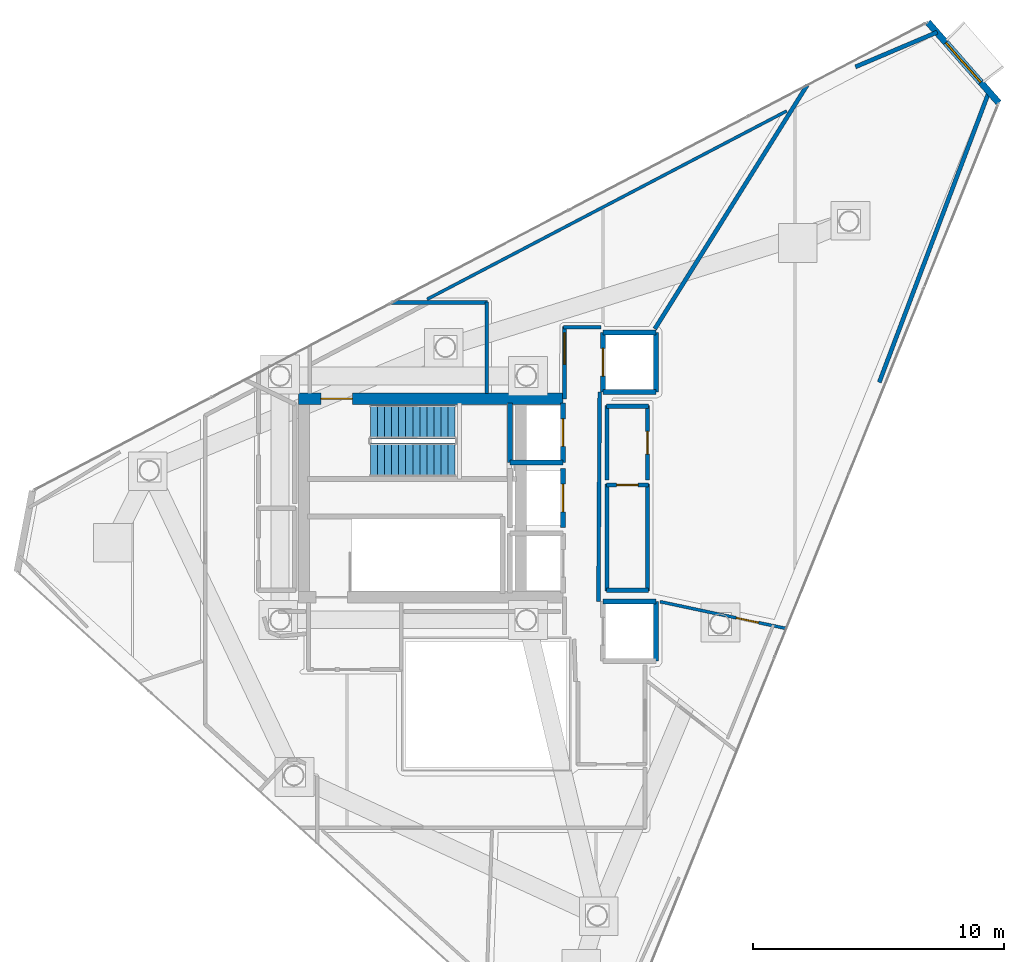
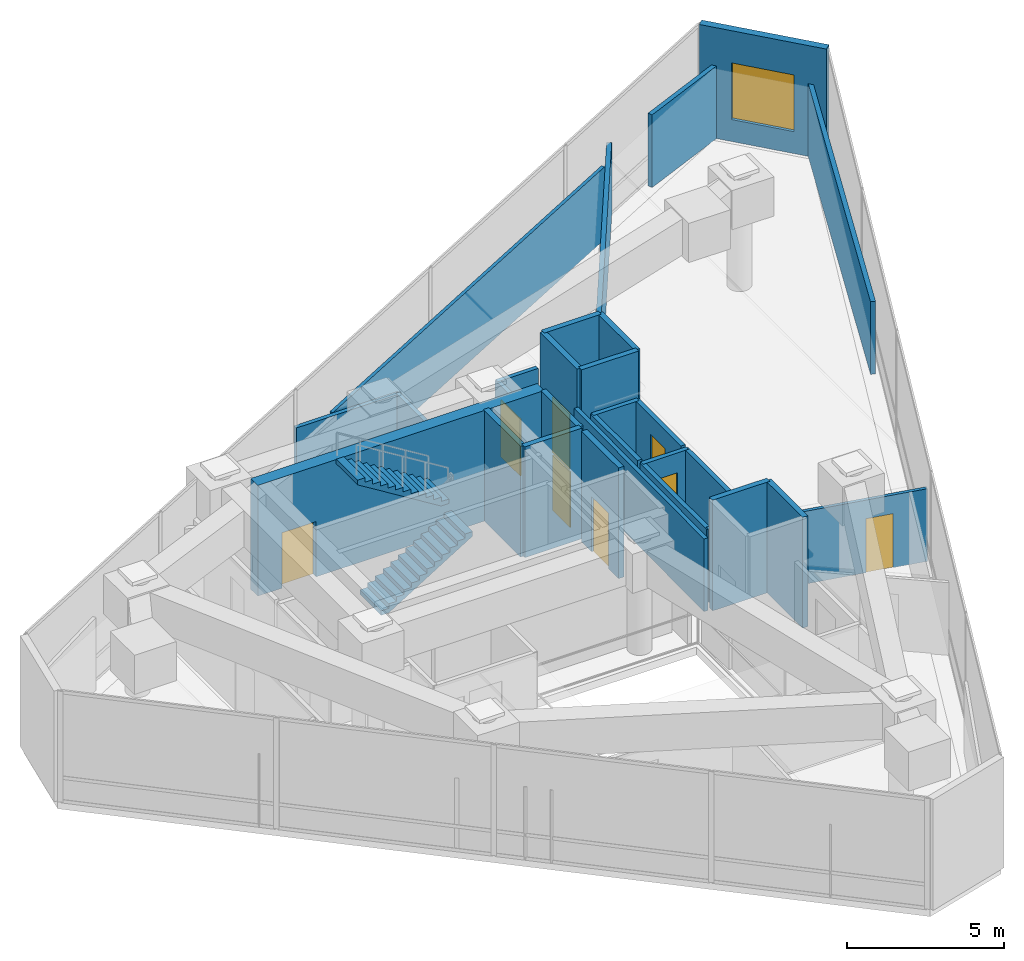
# One storey, part 15 of 17: 29 walls, 8 doors, 2 stair flights, 1 window, 9 openings, 1 element without a shape of its own.
"""IFC4 building model written with IfcOpenShell, lengths in metres."""

from ifc_helpers import new_model, si_unit, direction, frame, frame_2d, origin, place, context, subcontext, project, spatial, polyline, rectangle, outline, extrude, material, layer, layer_set, type_object, element, fill, aggregate, save


model = new_model("IFC4")

# Units and contexts
model_context = context("Model", 3, precision=1e-05, world=origin(), true_north=direction((0.0, 1.0)))
body_context = subcontext(model_context, "Body", "Model", "MODEL_VIEW")
ifc_project = project(units=[si_unit("LENGTHUNIT", "METRE"), si_unit("AREAUNIT", "SQUARE_METRE"), si_unit("VOLUMEUNIT", "CUBIC_METRE"), si_unit("PLANEANGLEUNIT", "RADIAN"), si_unit("MASSUNIT", "GRAM", prefix="KILO")], contexts=[model_context])

# Site, building, storey
site_placement = place(None, origin())
site = spatial("IfcSite", under=ifc_project, at=site_placement, CompositionType="ELEMENT")
building_placement = place(site_placement, origin())
building = spatial("IfcBuilding", under=site, at=building_placement, Name="Qianvela Tower", CompositionType="ELEMENT")
storey_placement = place(building_placement, frame((0.0, 0.0, 351.800048828125)))
storey = spatial("IfcBuildingStorey", under=building, at=storey_placement, Name="L91", CompositionType="ELEMENT", Elevation=351.800048828125)

# Wall, opening, window
ifc_material_1 = material(Name="Terracotta Cladding on Concrete C40", Category="masonry")
ifc_layer_1 = layer(ifc_material_1, 0.260009765625)
ifc_layer_set_1 = layer_set([ifc_layer_1], Name="Terracotta Cladding on Concrete C40")
wall_type_1 = type_object("IfcWallType", Name="TERRACOTTA-WALL-260", PredefinedType="SOLIDWALL", material=ifc_layer_set_1)
wall_1_placement = place(storey_placement, frame((57.185302734375, 44.41455078125, 0.0), z_axis=(0.0, 0.0, 1.0), x_axis=(-0.660250400188, 0.751045543926, 0.0)))
wall_1 = element("IfcWall", 1, at=wall_1_placement, inside=storey, type_object=wall_type_1, Name="L91 Terracotta Chamfer Facet Wall 1", PredefinedType="SOLIDWALL", context=body_context, shape_type="SweptSolid", body=[
    extrude(rectangle(XDim=4.272705078125, YDim=0.260009765625, at=frame_2d((2.13623046875, 0.0))), origin(), (0.0, 0.0, 1.0), 4.300048828125),
])
opening_1_placement = place(wall_1_placement, frame((1.08642578125, 0.0, 0.85009765625)))
opening_1 = element("IfcOpeningElement", 2, at=opening_1_placement, cuts=wall_1, Name="Opening W-04", PredefinedType="OPENING", context=body_context, shape_type="SweptSolid", body=[
    extrude(rectangle(XDim=2.10009765625, YDim=2.199951171875, at=frame_2d((1.050048828125, 1.10009765625))), frame((0.0, 0.139892578125, 0.0), z_axis=(0.0, -1.0, 0.0), x_axis=(1.0, 0.0, 0.0)), (0.0, 0.0, 1.0), 0.280029296875),
])
ifc_material_2 = material(Name="Thermally Broken Aluminium and Low-E Glass", Category="aluminium")
window_type = type_object("IfcWindowType", Name="WIN-TC-2100x2200", PartitioningType="TRIPLE_PANEL_VERTICAL", PredefinedType="WINDOW", material=ifc_material_2)
window_placement = place(opening_1_placement, origin())
window = element("IfcWindow", 3, at=window_placement, inside=storey, type_object=window_type, Name="L91 Chamfer Facet Window 1.1", OverallHeight=2.199951171875, OverallWidth=2.10009765625, PartitioningType="SINGLE_PANEL", PredefinedType="WINDOW", context=body_context, shape_type="SweptSolid", body=[
    extrude(rectangle(XDim=2.10009765625, YDim=2.199951171875, at=frame_2d((1.050048828125, 1.10009765625))), frame((0.0, 0.030029296875, 0.0), z_axis=(0.0, -1.0, 0.0), x_axis=(1.0, 0.0, 0.0)), (0.0, 0.0, 1.0), 0.06005859375),
])
fill(opening_1, window)

# Wall, opening, door
ifc_material_3 = material(Name="Concrete C50", Category="concrete")
ifc_layer_2 = layer(ifc_material_3, 0.449951171875)
ifc_layer_set_2 = layer_set([ifc_layer_2], Name="Concrete C50")
wall_type_2 = type_object("IfcWallType", Name="WT-CORE-450", PredefinedType="SHEAR", material=ifc_layer_set_2)
wall_2_placement = place(storey_placement, frame((29.330078125, 32.64501953125, 0.0), z_axis=(0.0, 0.0, 1.0), x_axis=(1.0, 0.0, 0.0)))
wall_2 = element("IfcWall", 4, at=wall_2_placement, inside=storey, type_object=wall_type_2, Name="L91 North Core Shear Wall", PredefinedType="SHEAR", context=body_context, shape_type="SweptSolid", body=[
    extrude(rectangle(XDim=10.52001953125, YDim=0.449951171875, at=frame_2d((5.260009765625, 0.0))), origin(), (0.0, 0.0, 1.0), 4.300048828125),
])
opening_2_placement = place(wall_2_placement, frame((0.89501953125, 0.0, 0.0)))
opening_2 = element("IfcOpeningElement", 5, at=opening_2_placement, cuts=wall_2, Name="Opening D-ST1", PredefinedType="OPENING", context=body_context, shape_type="SweptSolid", body=[
    extrude(rectangle(XDim=1.25, YDim=2.14990234375, at=frame_2d((0.625, 1.074951171875))), frame((0.0, 0.23486328125, 0.0), z_axis=(0.0, -1.0, 0.0), x_axis=(1.0, 0.0, 0.0)), (0.0, 0.0, 1.0), 0.469970703125),
])
ifc_material_4 = material(Name="Galvanised Fire Steel Q355B", Category="steel")
door_type_1 = type_object("IfcDoorType", Name="DT-STAIR-FD90", OperationType="NOTDEFINED", PredefinedType="DOOR", material=ifc_material_4)
door_1_placement = place(opening_2_placement, origin())
door_1 = element("IfcDoor", 6, at=door_1_placement, inside=storey, type_object=door_type_1, Name="L91 Stair ST-1 Exit Door", OperationType="SINGLE_SWING_RIGHT", OverallHeight=2.14990234375, OverallWidth=1.25, PredefinedType="DOOR", context=body_context, shape_type="SweptSolid", body=[
    extrude(rectangle(XDim=1.25, YDim=2.14990234375, at=frame_2d((0.625, 1.074951171875))), frame((0.0, 0.02490234375, 0.0), z_axis=(0.0, -1.0, 0.0), x_axis=(1.0, 0.0, 0.0)), (0.0, 0.0, 1.0), 0.050048828125),
])
fill(opening_2, door_1)

# Walls
ifc_material_5 = material(Name="Fire-Rated Acoustic Gypsum Board")
ifc_layer_3 = layer(ifc_material_5, 0.14990234375)
ifc_layer_set_3 = layer_set([ifc_layer_3], Name="Fire-Rated Acoustic Gypsum Board")
wall_type_3 = type_object("IfcWallType", Name="WT-CORR-150", PredefinedType="PARTITIONING", material=ifc_layer_set_3)
wall_3_placement = place(storey_placement, frame((33.04248046875, 36.468994140625, 0.0), z_axis=(0.0, 0.0, 1.0), x_axis=(1.0, 0.0, 0.0)))
element("IfcWall", 7, at=wall_3_placement, inside=storey, type_object=wall_type_3, Name="L91 Partition 3", PredefinedType="PARTITIONING", context=body_context, shape_type="SweptSolid", body=[
    extrude(rectangle(XDim=3.8076171875, YDim=0.14990234375, at=frame_2d((1.90380859375, 0.0))), origin(), (0.0, 0.0, 1.0), 2.820068359375),
])
wall_4_placement = place(storey_placement, frame((36.819091796875, 36.5, 0.0), z_axis=(0.0, 0.0, 1.0), x_axis=(0.0, -1.0, 0.0)))
element("IfcWall", 8, at=wall_4_placement, inside=storey, type_object=wall_type_3, Name="L91 Partition 4", PredefinedType="PARTITIONING", context=body_context, shape_type="SweptSolid", body=[
    extrude(rectangle(XDim=3.64208984375, YDim=0.14990234375, at=frame_2d((1.821044921875, 0.0))), origin(), (0.0, 0.0, 1.0), 2.820068359375),
])

# Wall, opening, door
wall_5_placement = place(storey_placement, frame((39.910888671875, 32.639892578125, 0.0), z_axis=(0.0, 0.0, 1.0), x_axis=(0.0, 1.0, 0.0)))
wall_5 = element("IfcWall", 9, at=wall_5_placement, inside=storey, type_object=wall_type_3, Name="L91 Partition 13", PredefinedType="PARTITIONING", context=body_context, shape_type="SweptSolid", body=[
    extrude(rectangle(XDim=2.880126953125, YDim=0.14990234375, at=frame_2d((1.43994140625, 0.0))), origin(), (0.0, 0.0, 1.0), 2.820068359375),
])
opening_3_placement = place(wall_5_placement, frame((1.375, 0.0, 0.0)))
opening_3 = element("IfcOpeningElement", 10, at=opening_3_placement, cuts=wall_5, Name="Opening D-LG1", PredefinedType="OPENING", context=body_context, shape_type="SweptSolid", body=[
    extrude(rectangle(XDim=1.25, YDim=2.199951171875, at=frame_2d((0.625, 1.10009765625))), frame((0.0, 0.0849609375, 0.0), z_axis=(0.0, -1.0, 0.0), x_axis=(1.0, 0.0, 0.0)), (0.0, 0.0, 1.0), 0.169921875),
])
ifc_material_6 = material(Name="Anodised Aluminium Acoustic Glass Door", Category="aluminium")
door_type_2 = type_object("IfcDoorType", Name="DT-LOUNGE-1250", OperationType="NOTDEFINED", PredefinedType="DOOR", material=ifc_material_6)
door_2_placement = place(opening_3_placement, origin())
door_2 = element("IfcDoor", 11, at=door_2_placement, inside=storey, type_object=door_type_2, Name="L91 Door L91 Academic Seminar Room to L91 Lift Lobby", OperationType="SINGLE_SWING_LEFT", OverallHeight=2.199951171875, OverallWidth=1.25, PredefinedType="DOOR", context=body_context, shape_type="SweptSolid", body=[
    extrude(rectangle(XDim=1.25, YDim=2.199951171875, at=frame_2d((0.625, 1.10009765625))), frame((0.0, 0.02490234375, 0.0), z_axis=(0.0, -1.0, 0.0), x_axis=(1.0, 0.0, 0.0)), (0.0, 0.0, 1.0), 0.050048828125),
])
fill(opening_3, door_2)

# Walls
wall_6_placement = place(storey_placement, frame((39.8798828125, 35.489013671875, 0.0), z_axis=(0.0, 0.0, 1.0), x_axis=(1.0, 0.0, 0.0)))
element("IfcWall", 12, at=wall_6_placement, inside=storey, type_object=wall_type_3, Name="L91 Partition 14", PredefinedType="PARTITIONING", context=body_context, shape_type="SweptSolid", body=[
    extrude(rectangle(XDim=1.480224609375, YDim=0.14990234375, at=frame_2d((0.740234375, 0.0))), origin(), (0.0, 0.0, 1.0), 2.820068359375),
])
wall_7_placement = place(storey_placement, frame((41.3134765625, 32.919921875, 0.0), z_axis=(0.0, 0.0, 1.0), x_axis=(-0.005942518022, -0.999982343084, 0.0)))
element("IfcWall", 13, at=wall_7_placement, inside=storey, type_object=wall_type_3, Name="L91 Partition 15 seg 2", PredefinedType="PARTITIONING", context=body_context, shape_type="SweptSolid", body=[
    extrude(rectangle(XDim=8.340087890625, YDim=0.14990234375, at=frame_2d((4.169921875, 0.0))), origin(), (0.0, 0.0, 1.0), 2.820068359375),
])

# Wall, opening, door
ifc_material_7 = material(Name="Insulated Gypsum Stud Partition")
ifc_layer_4 = layer(ifc_material_7, 0.1201171875)
ifc_layer_set_4 = layer_set([ifc_layer_4], Name="Insulated Gypsum Stud Partition")
wall_type_4 = type_object("IfcWallType", Name="WT-PART-120", PredefinedType="PARTITIONING", material=ifc_layer_set_4)
wall_8_placement = place(storey_placement, frame((43.713134765625, 24.576171875, 0.0), z_axis=(0.0, 0.0, 1.0), x_axis=(0.978143673995, -0.207930163816, 0.0)))
wall_8 = element("IfcWall", 14, at=wall_8_placement, inside=storey, type_object=wall_type_4, Name="L91 Partition 77", PredefinedType="PARTITIONING", context=body_context, shape_type="SweptSolid", body=[
    extrude(rectangle(XDim=5.152099609375, YDim=0.1201171875, at=frame_2d((2.576171875, 0.0))), origin(), (0.0, 0.0, 1.0), 2.820068359375),
])
opening_4_placement = place(wall_8_placement, frame((3.10595703125, 0.0, 0.0)))
opening_4 = element("IfcOpeningElement", 15, at=opening_4_placement, cuts=wall_8, Name="Opening D-KT1", PredefinedType="OPENING", context=body_context, shape_type="SweptSolid", body=[
    extrude(rectangle(XDim=0.89990234375, YDim=2.10009765625, at=frame_2d((0.449951171875, 1.050048828125))), frame((0.0, 0.070068359375, 0.0), z_axis=(0.0, -1.0, 0.0), x_axis=(1.0, 0.0, 0.0)), (0.0, 0.0, 1.0), 0.14013671875),
])
ifc_material_8 = material(Name="Glazed Timber Kitchen Door", Category="wood")
door_type_3 = type_object("IfcDoorType", Name="DT-KITCH-900", OperationType="NOTDEFINED", PredefinedType="DOOR", material=ifc_material_8)
door_3_placement = place(opening_4_placement, origin())
door_3 = element("IfcDoor", 16, at=door_3_placement, inside=storey, type_object=door_type_3, Name="L91 Door L91 Shared Sky Kitchen and Cafe to L91 Graduate Study Lounge", OperationType="SINGLE_SWING_LEFT", OverallHeight=2.10009765625, OverallWidth=0.89990234375, PredefinedType="DOOR", context=body_context, shape_type="SweptSolid", body=[
    extrude(rectangle(XDim=0.89990234375, YDim=2.10009765625, at=frame_2d((0.449951171875, 1.050048828125))), frame((0.0, 0.02490234375, 0.0), z_axis=(0.0, -1.0, 0.0), x_axis=(1.0, 0.0, 0.0)), (0.0, 0.0, 1.0), 0.050048828125),
])
fill(opening_4, door_3)

# Walls
wall_9_placement = place(storey_placement, frame((34.4482421875, 36.60107421875, 0.0), z_axis=(0.0, 0.0, 1.0), x_axis=(0.885897810841, 0.46388044661, 0.0)))
element("IfcWall", 17, at=wall_9_placement, inside=storey, type_object=wall_type_4, Name="L91 Partition 95 seg 1", PredefinedType="PARTITIONING", context=body_context, shape_type="SweptSolid", body=[
    extrude(rectangle(XDim=16.1484375, YDim=0.1201171875, at=frame_2d((8.07421875, 0.0))), origin(), (0.0, 0.0, 1.0), 2.820068359375),
])
ifc_material_9 = material(Name="Sanitary Service Chase Partition")
ifc_layer_5 = layer(ifc_material_9, 0.1650390625)
ifc_layer_set_5 = layer_set([ifc_layer_5], Name="Sanitary Service Chase Partition")
wall_type_5 = type_object("IfcWallType", Name="WT-PLUMB-165", PredefinedType="PLUMBINGWALL", material=ifc_layer_set_5)
wall_10_placement = place(storey_placement, frame((43.25, 25.031005859375, 0.0), z_axis=(0.0, 0.0, 1.0), x_axis=(-1.0, 0.0, 0.0)))
element("IfcWall", 18, at=wall_10_placement, inside=storey, type_object=wall_type_5, Name="L91 Partition 20", PredefinedType="PLUMBINGWALL", context=body_context, shape_type="SweptSolid", body=[
    extrude(rectangle(XDim=1.669921875, YDim=0.1650390625, at=frame_2d((0.8349609375, 0.0))), origin(), (0.0, 0.0, 1.0), 2.820068359375),
])
wall_11_placement = place(storey_placement, frame((41.611083984375, 25.0, 0.0), z_axis=(0.0, 0.0, 1.0), x_axis=(0.0, 1.0, 0.0)))
element("IfcWall", 19, at=wall_11_placement, inside=storey, type_object=wall_type_5, Name="L91 Partition 21", PredefinedType="PLUMBINGWALL", context=body_context, shape_type="SweptSolid", body=[
    extrude(rectangle(XDim=4.25, YDim=0.1650390625, at=frame_2d((2.125, 0.0))), origin(), (0.0, 0.0, 1.0), 2.820068359375),
])

# Wall, opening, door
wall_12_placement = place(storey_placement, frame((41.580078125, 29.218994140625, 0.0), z_axis=(0.0, 0.0, 1.0), x_axis=(1.0, 0.0, 0.0)))
wall_12 = element("IfcWall", 20, at=wall_12_placement, inside=storey, type_object=wall_type_5, Name="L91 Partition 22", PredefinedType="PLUMBINGWALL", context=body_context, shape_type="SweptSolid", body=[
    extrude(rectangle(XDim=1.669921875, YDim=0.1650390625, at=frame_2d((0.8349609375, 0.0))), origin(), (0.0, 0.0, 1.0), 2.820068359375),
])
opening_5_placement = place(wall_12_placement, frame((0.405029296875, 0.0, 0.0)))
opening_5 = element("IfcOpeningElement", 21, at=opening_5_placement, cuts=wall_12, Name="Opening D-WC1", PredefinedType="OPENING", context=body_context, shape_type="SweptSolid", body=[
    extrude(rectangle(XDim=0.860107421875, YDim=2.050048828125, at=frame_2d((0.43017578125, 1.02490234375))), frame((0.0, 0.092529296875, 0.0), z_axis=(0.0, -1.0, 0.0), x_axis=(1.0, 0.0, 0.0)), (0.0, 0.0, 1.0), 0.18505859375),
])
ifc_material_10 = material(Name="Moisture-Sealed Acoustic Timber Door", Category="wood")
door_type_4 = type_object("IfcDoorType", Name="DT-WC-860", OperationType="NOTDEFINED", PredefinedType="DOOR", material=ifc_material_10)
door_4_placement = place(opening_5_placement, origin())
door_4 = element("IfcDoor", 22, at=door_4_placement, inside=storey, type_object=door_type_4, Name="L91 Door L91 Accessible WC to L91 Shared Tea Pantry East", OperationType="SINGLE_SWING_LEFT", OverallHeight=2.050048828125, OverallWidth=0.860107421875, PredefinedType="DOOR", context=body_context, shape_type="SweptSolid", body=[
    extrude(rectangle(XDim=0.860107421875, YDim=2.050048828125, at=frame_2d((0.43017578125, 1.02490234375))), frame((0.0, 0.02490234375, 0.0), z_axis=(0.0, -1.0, 0.0), x_axis=(1.0, 0.0, 0.0)), (0.0, 0.0, 1.0), 0.050048828125),
])
fill(opening_5, door_4)

# Walls
wall_13_placement = place(storey_placement, frame((43.218994140625, 29.25, 0.0), z_axis=(0.0, 0.0, 1.0), x_axis=(0.0, -1.0, 0.0)))
element("IfcWall", 23, at=wall_13_placement, inside=storey, type_object=wall_type_5, Name="L91 Partition 23", PredefinedType="PLUMBINGWALL", context=body_context, shape_type="SweptSolid", body=[
    extrude(rectangle(XDim=4.25, YDim=0.1650390625, at=frame_2d((2.125, 0.0))), origin(), (0.0, 0.0, 1.0), 2.820068359375),
])
wall_14_placement = place(storey_placement, frame((41.611083984375, 29.409912109375, 0.0), z_axis=(0.0, 0.0, 1.0), x_axis=(0.0, 1.0, 0.0)))
element("IfcWall", 24, at=wall_14_placement, inside=storey, type_object=wall_type_5, Name="L91 Partition 25", PredefinedType="PLUMBINGWALL", context=body_context, shape_type="SweptSolid", body=[
    extrude(rectangle(XDim=2.969970703125, YDim=0.1650390625, at=frame_2d((1.48486328125, 0.0))), origin(), (0.0, 0.0, 1.0), 2.820068359375),
])
wall_15_placement = place(storey_placement, frame((41.580078125, 32.34912109375, 0.0), z_axis=(0.0, 0.0, 1.0), x_axis=(1.0, 0.0, 0.0)))
element("IfcWall", 25, at=wall_15_placement, inside=storey, type_object=wall_type_5, Name="L91 Partition 26", PredefinedType="PLUMBINGWALL", context=body_context, shape_type="SweptSolid", body=[
    extrude(rectangle(XDim=1.669921875, YDim=0.1650390625, at=frame_2d((0.8349609375, 0.0))), origin(), (0.0, 0.0, 1.0), 2.820068359375),
])

# Wall, opening, door
wall_16_placement = place(storey_placement, frame((43.218994140625, 32.3798828125, 0.0), z_axis=(0.0, 0.0, 1.0), x_axis=(0.0, -1.0, 0.0)))
wall_16 = element("IfcWall", 26, at=wall_16_placement, inside=storey, type_object=wall_type_5, Name="L91 Partition 27", PredefinedType="PLUMBINGWALL", context=body_context, shape_type="SweptSolid", body=[
    extrude(rectangle(XDim=2.969970703125, YDim=0.1650390625, at=frame_2d((1.48486328125, 0.0))), origin(), (0.0, 0.0, 1.0), 2.820068359375),
])
opening_6_placement = place(wall_16_placement, frame((1.034912109375, 0.0, 0.0)))
opening_6 = element("IfcOpeningElement", 27, at=opening_6_placement, cuts=wall_16, Name="Opening D-KT1", PredefinedType="OPENING", context=body_context, shape_type="SweptSolid", body=[
    extrude(rectangle(XDim=0.89990234375, YDim=2.10009765625, at=frame_2d((0.449951171875, 1.050048828125))), frame((0.0, 0.092529296875, 0.0), z_axis=(0.0, -1.0, 0.0), x_axis=(1.0, 0.0, 0.0)), (0.0, 0.0, 1.0), 0.18505859375),
])
door_5_placement = place(opening_6_placement, origin())
door_5 = element("IfcDoor", 28, at=door_5_placement, inside=storey, type_object=door_type_3, Name="L91 Door L91 Shared Tea Pantry East to L91 Shared Sky Kitchen and Cafe", OperationType="SINGLE_SWING_RIGHT", OverallHeight=2.10009765625, OverallWidth=0.89990234375, PredefinedType="DOOR", context=body_context, shape_type="SweptSolid", body=[
    extrude(rectangle(XDim=0.89990234375, YDim=2.10009765625, at=frame_2d((0.449951171875, 1.050048828125))), frame((0.0, 0.02490234375, 0.0), z_axis=(0.0, -1.0, 0.0), x_axis=(1.0, 0.0, 0.0)), (0.0, 0.0, 1.0), 0.050048828125),
])
fill(opening_6, door_5)

# Walls
wall_17_placement = place(storey_placement, frame((43.507568359375, 35.423583984375, 0.0), z_axis=(0.0, 0.0, 1.0), x_axis=(0.529920277959, 0.848047462709, 0.0)))
element("IfcWall", 29, at=wall_17_placement, inside=storey, type_object=wall_type_5, Name="L91 Partition 82", PredefinedType="PLUMBINGWALL", context=body_context, shape_type="SweptSolid", body=[
    extrude(rectangle(XDim=11.4384765625, YDim=0.1650390625, at=frame_2d((5.71923828125, 0.0))), origin(), (0.0, 0.0, 1.0), 2.820068359375),
])
wall_18_placement = place(storey_placement, frame((51.48583984375, 45.84521484375, 0.0), z_axis=(0.0, 0.0, 1.0), x_axis=(0.920504254139, 0.390732540381, 0.0)))
element("IfcWall", 30, at=wall_18_placement, inside=storey, type_object=wall_type_5, Name="L91 Partition 83 seg 1", PredefinedType="PLUMBINGWALL", context=body_context, shape_type="SweptSolid", body=[
    extrude(rectangle(XDim=3.53466796875, YDim=0.1650390625, at=frame_2d((1.767333984375, 0.0))), origin(), (0.0, 0.0, 1.0), 2.820068359375),
])
wall_19_placement = place(storey_placement, frame((56.80419921875, 44.875, 0.0), z_axis=(0.0, 0.0, 1.0), x_axis=(-0.353300031095, -0.935510068374, 0.0)))
element("IfcWall", 31, at=wall_19_placement, inside=storey, type_object=wall_type_5, Name="L91 Partition 85 seg 1", PredefinedType="PLUMBINGWALL", context=body_context, shape_type="SweptSolid", body=[
    extrude(rectangle(XDim=12.372802734375, YDim=0.1650390625, at=frame_2d((6.1865234375, 0.0))), origin(), (0.0, 0.0, 1.0), 2.820068359375),
])

# Wall, opening, door
ifc_material_11 = material(Name="Concrete C50", Category="concrete")
ifc_layer_6 = layer(ifc_material_11, 0.199951171875)
ifc_layer_set_6 = layer_set([ifc_layer_6], Name="Concrete C50")
wall_type_6 = type_object("IfcWallType", Name="WT-SHAFT-200", PredefinedType="SOLIDWALL", material=ifc_layer_set_6)
wall_20_placement = place(storey_placement, frame((39.85009765625, 30.1201171875, 0.0), z_axis=(0.0, 0.0, 1.0), x_axis=(0.0, 1.0, 0.0)))
wall_20 = element("IfcWall", 32, at=wall_20_placement, inside=storey, type_object=wall_type_6, Name="L91 Lift FL-1 E Shaft Wall", PredefinedType="SOLIDWALL", context=body_context, shape_type="SweptSolid", body=[
    extrude(rectangle(XDim=2.35986328125, YDim=0.199951171875, at=frame_2d((1.179931640625, 0.0))), origin(), (0.0, 0.0, 1.0), 4.300048828125),
])
opening_7_placement = place(wall_20_placement, frame((0.6298828125, 0.0, 0.0)))
opening_7 = element("IfcOpeningElement", 33, at=opening_7_placement, cuts=wall_20, Name="Opening LD-01", PredefinedType="OPENING", context=body_context, shape_type="SweptSolid", body=[
    extrude(rectangle(XDim=1.10009765625, YDim=2.14990234375, at=frame_2d((0.550048828125, 1.074951171875))), frame((0.0, 0.10986328125, 0.0), z_axis=(0.0, -1.0, 0.0), x_axis=(1.0, 0.0, 0.0)), (0.0, 0.0, 1.0), 0.219970703125),
])
ifc_material_12 = material(Name="Brushed Stainless Steel Lift Landing Door", Category="steel")
door_type_5 = type_object("IfcDoorType", Name="DT-LIFT-SLIDE-1100", OperationType="SLIDING_TO_LEFT", PredefinedType="DOOR", material=ifc_material_12)
door_6_placement = place(opening_7_placement, origin())
door_6 = element("IfcDoor", 34, at=door_6_placement, inside=storey, type_object=door_type_5, Name="L91 Lift FL-1 Sliding Landing Door", OperationType="SLIDING_TO_LEFT", OverallHeight=2.14990234375, OverallWidth=1.10009765625, PredefinedType="DOOR", context=body_context, shape_type="SweptSolid", body=[
    extrude(rectangle(XDim=1.10009765625, YDim=2.14990234375, at=frame_2d((0.550048828125, 1.074951171875))), frame((0.0, 0.02490234375, 0.0), z_axis=(0.0, -1.0, 0.0), x_axis=(1.0, 0.0, 0.0)), (0.0, 0.0, 1.0), 0.050048828125),
])
fill(opening_7, door_6)

# Walls
wall_21_placement = place(storey_placement, frame((37.75, 30.1201171875, 0.0), z_axis=(0.0, 0.0, 1.0), x_axis=(0.0, 1.0, 0.0)))
element("IfcWall", 35, at=wall_21_placement, inside=storey, type_object=wall_type_6, Name="L91 Lift FL-1 W Shaft Wall", PredefinedType="SOLIDWALL", context=body_context, shape_type="SweptSolid", body=[
    extrude(rectangle(XDim=2.35986328125, YDim=0.199951171875, at=frame_2d((1.179931640625, 0.0))), origin(), (0.0, 0.0, 1.0), 4.300048828125),
])
wall_22_placement = place(storey_placement, frame((37.75, 30.1201171875, 0.0), z_axis=(0.0, 0.0, 1.0), x_axis=(1.0, 0.0, 0.0)))
element("IfcWall", 36, at=wall_22_placement, inside=storey, type_object=wall_type_6, Name="L91 Lift FL-1 S Shaft Wall", PredefinedType="SOLIDWALL", context=body_context, shape_type="SweptSolid", body=[
    extrude(rectangle(XDim=2.10009765625, YDim=0.199951171875, at=frame_2d((1.050048828125, 0.0))), origin(), (0.0, 0.0, 1.0), 4.300048828125),
])

# Wall, opening, door
wall_23_placement = place(storey_placement, frame((39.85009765625, 27.52001953125, 0.0), z_axis=(0.0, 0.0, 1.0), x_axis=(0.0, 1.0, 0.0)))
wall_23 = element("IfcWall", 37, at=wall_23_placement, inside=storey, type_object=wall_type_6, Name="L91 Lift PL-H1 E Shaft Wall", PredefinedType="SOLIDWALL", context=body_context, shape_type="SweptSolid", body=[
    extrude(rectangle(XDim=2.35986328125, YDim=0.199951171875, at=frame_2d((1.179931640625, 0.0))), origin(), (0.0, 0.0, 1.0), 4.300048828125),
])
opening_8_placement = place(wall_23_placement, frame((0.6298828125, 0.0, 0.0)))
opening_8 = element("IfcOpeningElement", 38, at=opening_8_placement, cuts=wall_23, Name="Opening LD-01", PredefinedType="OPENING", context=body_context, shape_type="SweptSolid", body=[
    extrude(rectangle(XDim=1.10009765625, YDim=2.14990234375, at=frame_2d((0.550048828125, 1.074951171875))), frame((0.0, 0.10986328125, 0.0), z_axis=(0.0, -1.0, 0.0), x_axis=(1.0, 0.0, 0.0)), (0.0, 0.0, 1.0), 0.219970703125),
])
door_7_placement = place(opening_8_placement, origin())
door_7 = element("IfcDoor", 39, at=door_7_placement, inside=storey, type_object=door_type_5, Name="L91 Lift PL-H1 Sliding Landing Door", OperationType="SLIDING_TO_LEFT", OverallHeight=2.14990234375, OverallWidth=1.10009765625, PredefinedType="DOOR", context=body_context, shape_type="SweptSolid", body=[
    extrude(rectangle(XDim=1.10009765625, YDim=2.14990234375, at=frame_2d((0.550048828125, 1.074951171875))), frame((0.0, 0.02490234375, 0.0), z_axis=(0.0, -1.0, 0.0), x_axis=(1.0, 0.0, 0.0)), (0.0, 0.0, 1.0), 0.050048828125),
])
fill(opening_8, door_7)

# Walls
wall_24_placement = place(storey_placement, frame((43.550048828125, 22.219970703125, 0.0), z_axis=(0.0, 0.0, 1.0), x_axis=(0.0, 1.0, 0.0)))
element("IfcWall", 40, at=wall_24_placement, inside=storey, type_object=wall_type_6, Name="L91 Lift PL-H2 E Shaft Wall", PredefinedType="SOLIDWALL", context=body_context, shape_type="SweptSolid", body=[
    extrude(rectangle(XDim=2.360107421875, YDim=0.199951171875, at=frame_2d((1.18017578125, 0.0))), origin(), (0.0, 0.0, 1.0), 4.300048828125),
])
wall_25_placement = place(storey_placement, frame((41.449951171875, 24.580078125, 0.0), z_axis=(0.0, 0.0, 1.0), x_axis=(1.0, 0.0, 0.0)))
element("IfcWall", 41, at=wall_25_placement, inside=storey, type_object=wall_type_6, Name="L91 Lift PL-H2 N Shaft Wall", PredefinedType="SOLIDWALL", context=body_context, shape_type="SweptSolid", body=[
    extrude(rectangle(XDim=2.10009765625, YDim=0.199951171875, at=frame_2d((1.050048828125, 0.0))), origin(), (0.0, 0.0, 1.0), 4.300048828125),
])
wall_26_placement = place(storey_placement, frame((43.550048828125, 32.919921875, 0.0), z_axis=(0.0, 0.0, 1.0), x_axis=(0.0, 1.0, 0.0)))
element("IfcWall", 42, at=wall_26_placement, inside=storey, type_object=wall_type_6, Name="L91 Lift PL-H3 E Shaft Wall", PredefinedType="SOLIDWALL", context=body_context, shape_type="SweptSolid", body=[
    extrude(rectangle(XDim=2.360107421875, YDim=0.199951171875, at=frame_2d((1.18017578125, 0.0))), origin(), (0.0, 0.0, 1.0), 4.300048828125),
])

# Wall, opening, door
wall_27_placement = place(storey_placement, frame((41.449951171875, 32.919921875, 0.0), z_axis=(0.0, 0.0, 1.0), x_axis=(0.0, 1.0, 0.0)))
wall_27 = element("IfcWall", 43, at=wall_27_placement, inside=storey, type_object=wall_type_6, Name="L91 Lift PL-H3 W Shaft Wall", PredefinedType="SOLIDWALL", context=body_context, shape_type="SweptSolid", body=[
    extrude(rectangle(XDim=2.360107421875, YDim=0.199951171875, at=frame_2d((1.18017578125, 0.0))), origin(), (0.0, 0.0, 1.0), 4.300048828125),
])
opening_9_placement = place(wall_27_placement, frame((0.6298828125, 0.0, 0.0)))
opening_9 = element("IfcOpeningElement", 44, at=opening_9_placement, cuts=wall_27, Name="Opening LD-01", PredefinedType="OPENING", context=body_context, shape_type="SweptSolid", body=[
    extrude(rectangle(XDim=1.10009765625, YDim=2.14990234375, at=frame_2d((0.550048828125, 1.074951171875))), frame((0.0, 0.10986328125, 0.0), z_axis=(0.0, -1.0, 0.0), x_axis=(1.0, 0.0, 0.0)), (0.0, 0.0, 1.0), 0.219970703125),
])
door_8_placement = place(opening_9_placement, origin())
door_8 = element("IfcDoor", 45, at=door_8_placement, inside=storey, type_object=door_type_5, Name="L91 Lift PL-H3 Sliding Landing Door", OperationType="SLIDING_TO_LEFT", OverallHeight=2.14990234375, OverallWidth=1.10009765625, PredefinedType="DOOR", context=body_context, shape_type="SweptSolid", body=[
    extrude(rectangle(XDim=1.10009765625, YDim=2.14990234375, at=frame_2d((0.550048828125, 1.074951171875))), frame((0.0, 0.02490234375, 0.0), z_axis=(0.0, -1.0, 0.0), x_axis=(1.0, 0.0, 0.0)), (0.0, 0.0, 1.0), 0.050048828125),
])
fill(opening_9, door_8)

# Walls
for number, where, z_axis, x_axis, name in (
    (46, (41.449951171875, 35.280029296875, 0.0), (0.0, 0.0, 1.0), (1.0, 0.0, 0.0), "L91 Lift PL-H3 N Shaft Wall"),
    (47, (41.449951171875, 32.919921875, 0.0), (0.0, 0.0, 1.0), (1.0, 0.0, 0.0), "L91 Lift PL-H3 S Shaft Wall"),
):
    element("IfcWall", number, at=place(storey_placement, frame(where, z_axis=z_axis, x_axis=x_axis)), inside=storey, type_object=wall_type_6, Name=name, PredefinedType="SOLIDWALL", context=body_context, shape_type="SweptSolid", body=[
        extrude(rectangle(XDim=2.10009765625, YDim=0.199951171875, at=frame_2d((1.050048828125, 0.0))), origin(), (0.0, 0.0, 1.0), 4.300048828125),
    ])

# Stair, stair flights
ifc_material_13 = material(Name="Concrete C40", Category="concrete")
stair_type = type_object("IfcStairType", Name="ST-DOGLEG-1350-R173-N26", PredefinedType="HALF_TURN_STAIR", material=ifc_material_13)
stair_placement = place(storey_placement, origin())
stair = element("IfcStair", 48, at=stair_placement, inside=storey, type_object=stair_type, Name="L91 Smoke-Proof Core Stair ST-1", PredefinedType="HALF_TURN_STAIR")
ifc_material_14 = material(Name="Concrete C40", Category="concrete")
stair_flight_type = type_object("IfcStairFlightType", Name="STF-STRAIGHT-R173-P13", PredefinedType="STRAIGHT", material=ifc_material_14)
stair_flight_1_placement = place(storey_placement, frame((32.199951171875, 30.215087890625, 0.0), z_axis=(0.0, 0.0, 1.0), x_axis=(1.0, 0.0, 0.0)))
stair_flight_1 = element("IfcStairFlight", 49, at=stair_flight_1_placement, type_object=stair_flight_type, Name="ST-1 flight 1", NumberOfRisers=13, NumberOfTreads=12, PredefinedType="STRAIGHT", RiserHeight=0.173076923, TreadLength=0.28, context=body_context, shape_type="SweptSolid", body=[
    extrude(outline(polyline([(0.0, 0.0), (0.0, 0.173095703125), (0.280029296875, 0.173095703125), (0.280029296875, 0.34619140625), (0.56005859375, 0.34619140625), (0.56005859375, 0.519287109375), (0.840087890625, 0.519287109375), (0.840087890625, 0.6923828125), (1.1201171875, 0.6923828125), (1.1201171875, 0.865478515625), (1.39990234375, 0.865478515625), (1.39990234375, 1.03857421875), (1.679931640625, 1.03857421875), (1.679931640625, 1.21142578125), (1.9599609375, 1.21142578125), (1.9599609375, 1.384521484375), (2.239990234375, 1.384521484375), (2.239990234375, 1.5576171875), (2.52001953125, 1.5576171875), (2.52001953125, 1.730712890625), (2.800048828125, 1.730712890625), (2.800048828125, 1.90380859375), (3.080078125, 1.90380859375), (3.080078125, 2.076904296875), (3.360107421875, 2.076904296875), (3.360107421875, 2.25), (3.360107421875, 1.900634765625), (0.28515625, 0.0), (0.0, 0.0)])), frame((0.0, 0.675048828125, 0.0), z_axis=(0.0, -1.0, 0.0), x_axis=(1.0, 0.0, 0.0)), (0.0, 0.0, 1.0), 1.35009765625),
])
stair_flight_2_placement = place(storey_placement, frame((35.56005859375, 31.72509765625, 2.25), z_axis=(0.0, 0.0, 1.0), x_axis=(-1.0, 0.0, 0.0)))
stair_flight_2 = element("IfcStairFlight", 50, at=stair_flight_2_placement, type_object=stair_flight_type, Name="ST-1 flight 2", NumberOfRisers=13, NumberOfTreads=12, PredefinedType="STRAIGHT", RiserHeight=0.173076923, TreadLength=0.28, context=body_context, shape_type="SweptSolid", body=[
    extrude(outline(polyline([(0.0, 0.0), (0.0, 0.173095703125), (0.280029296875, 0.173095703125), (0.280029296875, 0.34619140625), (0.56005859375, 0.34619140625), (0.56005859375, 0.519287109375), (0.840087890625, 0.519287109375), (0.840087890625, 0.6923828125), (1.1201171875, 0.6923828125), (1.1201171875, 0.865478515625), (1.39990234375, 0.865478515625), (1.39990234375, 1.03857421875), (1.679931640625, 1.03857421875), (1.679931640625, 1.21142578125), (1.9599609375, 1.21142578125), (1.9599609375, 1.384521484375), (2.239990234375, 1.384521484375), (2.239990234375, 1.5576171875), (2.52001953125, 1.5576171875), (2.52001953125, 1.730712890625), (2.800048828125, 1.730712890625), (2.800048828125, 1.90380859375), (3.080078125, 1.90380859375), (3.080078125, 2.076904296875), (3.360107421875, 2.076904296875), (3.360107421875, 2.25), (3.360107421875, 1.900634765625), (0.28515625, 0.0), (0.0, 0.0)])), frame((0.0, 0.675048828125, 0.0), z_axis=(0.0, -1.0, 0.0), x_axis=(1.0, 0.0, 0.0)), (0.0, 0.0, 1.0), 1.35009765625),
])
aggregate(stair, [stair_flight_1, stair_flight_2])

save(model, "model.ifc")
